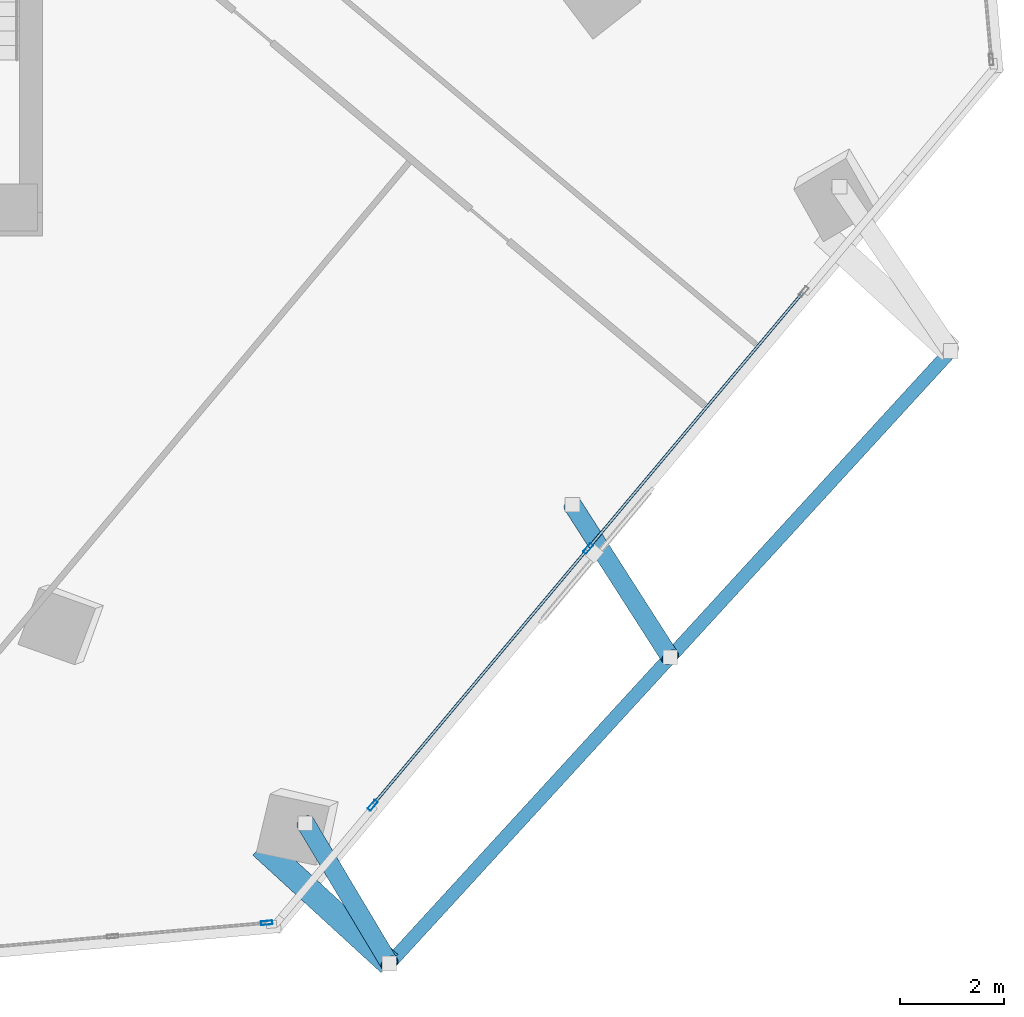
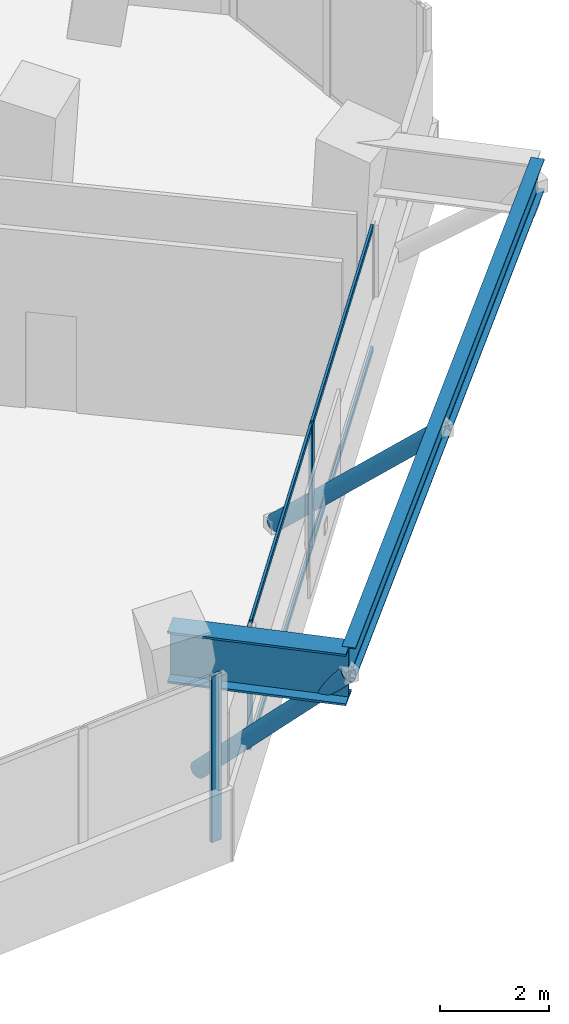
# One storey, part 6 of 18: 9 members, 2 beams, 2 elements without a shape of their own.
"""IFC4 building model written with IfcOpenShell, lengths in metres."""

from ifc_helpers import new_model, si_unit, direction, frame, origin, origin_2d, place, context, subcontext, project, spatial, hollow_rectangle, hollow_circle, i_section, extrude, source, transform, mapped, material, material_profile, profile_set, type_object, element, aggregate, save


model = new_model("IFC4")

# Units and contexts
model_context = context("Model", 3, precision=1e-05, world=origin(), true_north=direction((0.0, 1.0)))
body_context = subcontext(model_context, "Body", "Model", "MODEL_VIEW")
ifc_project = project(units=[si_unit("LENGTHUNIT", "METRE"), si_unit("AREAUNIT", "SQUARE_METRE"), si_unit("VOLUMEUNIT", "CUBIC_METRE"), si_unit("PLANEANGLEUNIT", "RADIAN"), si_unit("MASSUNIT", "GRAM", prefix="KILO")], contexts=[model_context])

# Site, building, storey
site_placement = place(None, origin())
site = spatial("IfcSite", under=ifc_project, at=site_placement, CompositionType="ELEMENT")
building_placement = place(site_placement, origin())
building = spatial("IfcBuilding", under=site, at=building_placement, Name="Torre Montelarca", CompositionType="ELEMENT")
storey_placement = place(building_placement, frame((0.0, 0.0, 224.800048828125)))
storey = spatial("IfcBuildingStorey", under=building, at=storey_placement, Name="L50", CompositionType="ELEMENT", Elevation=224.800048828125)

# Members
ifc_material_1 = material(Name="Steel ASTM A500 Grade C", Category="steel")
ifc_material_profile_1 = material_profile(ifc_material_1, hollow_circle(Radius=0.177734375, WallThickness=0.015869140625, at=origin_2d()), Name="HSS355.6X15.9", Category="steel")
ifc_profile_set_1 = profile_set([ifc_material_profile_1], Name="Steel ASTM A500 Grade C")
member_type_1 = type_object("IfcMemberType", Name="MB-BR-CHS356-EXT", PredefinedType="BRACE", material=ifc_profile_set_1)
shared_shape_1 = source(origin(), body_context, "Body", "SweptSolid", [
    extrude(hollow_circle(Radius=0.177734375, WallThickness=0.015869140625, at=origin_2d()), origin(), (0.0, 0.0, 1.0), 4.516845703125),
])
member_1_placement = place(storey_placement, frame((32.0615234375, 12.694580078125, 0.14990234375), z_axis=(0.358134118926, -0.598980124651, 0.71621418803), x_axis=(0.858284616398, 0.513173963928, 0.0)))
element("IfcMember", 1, at=member_1_placement, inside=storey, type_object=member_type_1, Name="L51 Sliding Tray Exterior Diagonal Raker Strut E1", PredefinedType="BRACE", context=body_context, shape_type="MappedRepresentation", body=[
    mapped(shared_shape_1, transform((0.0, 0.0, 0.0), scale=1.0)),
])
shared_shape_2 = source(origin(), body_context, "Body", "SweptSolid", [
    extrude(hollow_circle(Radius=0.177734375, WallThickness=0.015869140625, at=origin_2d()), origin(), (0.0, 0.0, 1.0), 4.756103515625),
])
member_2_placement = place(storey_placement, frame((37.203857421875, 18.822998046875, 0.14990234375), z_axis=(0.395315714635, -0.617279764769, 0.680214067606), x_axis=(0.842112385289, 0.539302077265, 0.0)))
element("IfcMember", 2, at=member_2_placement, inside=storey, type_object=member_type_1, Name="L51 Sliding Tray Exterior Diagonal Raker Strut E2", PredefinedType="BRACE", context=body_context, shape_type="MappedRepresentation", body=[
    mapped(shared_shape_2, transform((0.0, 0.0, 0.0), scale=1.0)),
])

# Beams
ifc_material_2 = material(Name="Steel ASTM A572 Grade 50", Category="steel")
ifc_material_profile_2 = material_profile(ifc_material_2, i_section(OverallWidth=0.47998046875, OverallDepth=1.14990234375, WebThickness=0.02197265625, FlangeThickness=0.044921875, at=origin_2d()), Name="PG1150X480X22X45", Category="steel")
ifc_profile_set_2 = profile_set([ifc_material_profile_2], Name="Steel ASTM A572 Grade 50")
beam_type_1 = type_object("IfcBeamType", Name="BM-CG-PG1400-EXT", PredefinedType="USERDEFINED", material=ifc_profile_set_2)
shared_shape_3 = source(origin(), body_context, "Body", "SweptSolid", [
    extrude(i_section(OverallWidth=0.47998046875, OverallDepth=1.14990234375, WebThickness=0.02197265625, FlangeThickness=0.044921875, at=origin_2d()), origin(), (0.0, 0.0, 1.0), 3.349853515625),
])
beam_1_placement = place(storey_placement, frame((31.20947265625, 12.252197265625, 3.385009765625), z_axis=(0.737263039421, -0.675605810146, 0.0), x_axis=(0.675605810146, 0.737263039421, 0.0)))
element("IfcBeam", 3, at=beam_1_placement, inside=storey, type_object=beam_type_1, Name="L50 Sliding Tray Cantilever Girder East Y=24m (FLR)", ObjectType="CANTILEVER GIRDER", PredefinedType="USERDEFINED", context=body_context, shape_type="MappedRepresentation", body=[
    mapped(shared_shape_3, transform((0.0, 0.0, 0.0), scale=1.0)),
])
ifc_material_3 = material(Name="Steel ASTM A992 Grade 50", Category="steel")
ifc_material_profile_3 = material_profile(ifc_material_3, i_section(OverallWidth=0.256103515625, OverallDepth=0.693115234375, WebThickness=0.014404296875, FlangeThickness=0.023681640625, FilletRadius=0.01806640625, at=origin_2d()), Name="W690X170", Category="steel")
ifc_profile_set_3 = profile_set([ifc_material_profile_3], Name="Steel ASTM A992 Grade 50")
beam_type_2 = type_object("IfcBeamType", Name="BM-G-W690-EXT", PredefinedType="BEAM", material=ifc_profile_set_3)
shared_shape_4 = source(origin(), body_context, "Body", "SweptSolid", [
    extrude(i_section(OverallWidth=0.256103515625, OverallDepth=0.693115234375, WebThickness=0.014404296875, FlangeThickness=0.023681640625, FilletRadius=0.01806640625, at=origin_2d()), origin(), (0.0, 0.0, 1.0), 16.0),
])
beam_2_placement = place(storey_placement, frame((33.67919921875, 9.989013671875, 3.614013671875), z_axis=(0.675596099327, 0.737271938008, 0.0), x_axis=(-0.737271938008, 0.675596099327, 0.0)))
element("IfcBeam", 4, at=beam_2_placement, inside=storey, type_object=beam_type_2, Name="L50 Sliding Tray Edge Girder East 24-40m (FLR)", PredefinedType="BEAM", context=body_context, shape_type="MappedRepresentation", body=[
    mapped(shared_shape_4, transform((0.0, 0.0, 0.0), scale=1.0)),
])

# Curtain wall, member
ifc_material_4 = material(Name="Insulated low-E laminated glass", Category="glass")
curtain_wall_type = type_object("IfcCurtainWallType", Name="CW-SYS-Z3", PredefinedType="USERDEFINED", material=ifc_material_4)
curtain_wall_1_placement = place(storey_placement, origin())
curtain_wall_1 = element("IfcCurtainWall", 5, at=curtain_wall_1_placement, inside=storey, type_object=curtain_wall_type, Name="L50 Curtain Wall Run CW-T3-L50-E05-B1", ObjectType="UNITISED GLAZING", PredefinedType="USERDEFINED")
ifc_material_5 = material(Name="Anodised aluminium AA 6063-T6", Category="aluminium")
ifc_material_profile_4 = material_profile(ifc_material_5, hollow_rectangle(XDim=0.074951171875, YDim=0.219970703125, WallThickness=0.0048828125, InnerFilletRadius=0.0048828125, OuterFilletRadius=0.010009765625, at=origin_2d()), Name="ALU75X220X5", Category="aluminium")
ifc_profile_set_4 = profile_set([ifc_material_profile_4], Name="Anodised aluminium AA 6063-T6")
member_type_2 = type_object("IfcMemberType", Name="CWM-ALU220", PredefinedType="MULLION", material=ifc_profile_set_4)
shared_shape_5 = source(origin(), body_context, "Body", "SweptSolid", [
    extrude(hollow_rectangle(XDim=0.074951171875, YDim=0.219970703125, WallThickness=0.0048828125, InnerFilletRadius=0.0048828125, OuterFilletRadius=0.010009765625, at=origin_2d()), origin(), (0.0, 0.0, 1.0), 3.719970703125),
])
member_3_placement = place(storey_placement, frame((31.31591796875, 10.772216796875, 0.0), z_axis=(0.0, 0.0, 1.0), x_axis=(-0.087181139731, 0.996192475817, 0.0)))
member_3 = element("IfcMember", 6, at=member_3_placement, type_object=member_type_2, Name="CW mullion 3", PredefinedType="MULLION", context=body_context, shape_type="MappedRepresentation", body=[
    mapped(shared_shape_5, transform((0.0, 0.0, 0.0), scale=1.0)),
])
aggregate(curtain_wall_1, [member_3])

# Curtain wall, members
curtain_wall_2_placement = place(storey_placement, origin())
curtain_wall_2 = element("IfcCurtainWall", 7, at=curtain_wall_2_placement, inside=storey, type_object=curtain_wall_type, Name="L50 Curtain Wall Run CW-T3-L50-E06-B1", ObjectType="UNITISED GLAZING", PredefinedType="USERDEFINED")
shared_shape_6 = source(origin(), body_context, "Body", "SweptSolid", [
    extrude(hollow_rectangle(XDim=0.074951171875, YDim=0.219970703125, WallThickness=0.0048828125, InnerFilletRadius=0.0048828125, OuterFilletRadius=0.010009765625, at=origin_2d()), origin(), (0.0, 0.0, 1.0), 2.77490234375),
])
member_4_placement = place(storey_placement, frame((33.353759765625, 13.036376953125, 0.0), z_axis=(0.0, 0.0, 1.0), x_axis=(-0.766041477678, 0.642791143744, 0.0)))
member_4 = element("IfcMember", 8, at=member_4_placement, type_object=member_type_2, Name="CW mullion 1", PredefinedType="MULLION", context=body_context, shape_type="MappedRepresentation", body=[
    mapped(shared_shape_6, transform((0.0, 0.0, 0.0), scale=1.0)),
])
member_5_placement = place(storey_placement, frame((37.50390625, 17.982421875, 0.0), z_axis=(0.0, 0.0, 1.0), x_axis=(-0.766041477678, 0.642791143744, 0.0)))
member_5 = element("IfcMember", 9, at=member_5_placement, type_object=member_type_2, Name="CW mullion 2", PredefinedType="MULLION", context=body_context, shape_type="MappedRepresentation", body=[
    mapped(shared_shape_6, transform((0.0, 0.0, 0.0), scale=1.0)),
])
ifc_material_profile_5 = material_profile(ifc_material_5, hollow_rectangle(XDim=0.054931640625, YDim=0.1201171875, WallThickness=0.00341796875, InnerFilletRadius=0.00341796875, OuterFilletRadius=0.007080078125, at=origin_2d()), Name="ALU55X120X3.5", Category="aluminium")
ifc_profile_set_5 = profile_set([ifc_material_profile_5], Name="Anodised aluminium AA 6063-T6")
member_type_3 = type_object("IfcMemberType", Name="CWT-ALU120", PredefinedType="USERDEFINED", material=ifc_profile_set_5)
shared_shape_7 = source(origin(), body_context, "Body", "SweptSolid", [
    extrude(hollow_rectangle(XDim=0.054931640625, YDim=0.1201171875, WallThickness=0.00341796875, InnerFilletRadius=0.00341796875, OuterFilletRadius=0.007080078125, at=origin_2d()), origin(), (0.0, 0.0, 1.0), 6.38134765625),
])
member_6_placement = place(storey_placement, frame((33.3779296875, 13.065185546875, 0.02734375), z_axis=(0.642781055875, 0.766049942372, 0.0), x_axis=(-0.766049942372, 0.642781055875, 0.0)))
member_6 = element("IfcMember", 10, at=member_6_placement, type_object=member_type_3, Name="CW transom 1.1", ObjectType="TRANSOM", PredefinedType="USERDEFINED", context=body_context, shape_type="MappedRepresentation", body=[
    mapped(shared_shape_7, transform((0.0, 0.0, 0.0), scale=1.0)),
])
member_7_placement = place(storey_placement, frame((33.3779296875, 13.065185546875, 2.74755859375), z_axis=(0.642781055875, 0.766049942372, 0.0), x_axis=(-0.766049942372, 0.642781055875, 0.0)))
member_7 = element("IfcMember", 11, at=member_7_placement, type_object=member_type_3, Name="CW transom 1.2", ObjectType="TRANSOM", PredefinedType="USERDEFINED", context=body_context, shape_type="MappedRepresentation", body=[
    mapped(shared_shape_7, transform((0.0, 0.0, 0.0), scale=1.0)),
])
shared_shape_8 = source(origin(), body_context, "Body", "SweptSolid", [
    extrude(hollow_rectangle(XDim=0.054931640625, YDim=0.1201171875, WallThickness=0.00341796875, InnerFilletRadius=0.00341796875, OuterFilletRadius=0.007080078125, at=origin_2d()), origin(), (0.0, 0.0, 1.0), 6.381591796875),
])
member_8_placement = place(storey_placement, frame((37.528076171875, 18.01123046875, 0.02734375), z_axis=(0.642803506379, 0.766031103929, 0.0), x_axis=(-0.766031103929, 0.642803506379, 0.0)))
member_8 = element("IfcMember", 12, at=member_8_placement, type_object=member_type_3, Name="CW transom 2.1", ObjectType="TRANSOM", PredefinedType="USERDEFINED", context=body_context, shape_type="MappedRepresentation", body=[
    mapped(shared_shape_8, transform((0.0, 0.0, 0.0), scale=1.0)),
])
member_9_placement = place(storey_placement, frame((37.528076171875, 18.01123046875, 2.74755859375), z_axis=(0.642803506379, 0.766031103929, 0.0), x_axis=(-0.766031103929, 0.642803506379, 0.0)))
member_9 = element("IfcMember", 13, at=member_9_placement, type_object=member_type_3, Name="CW transom 2.2", ObjectType="TRANSOM", PredefinedType="USERDEFINED", context=body_context, shape_type="MappedRepresentation", body=[
    mapped(shared_shape_8, transform((0.0, 0.0, 0.0), scale=1.0)),
])
aggregate(curtain_wall_2, [member_4, member_5, member_6, member_7, member_8, member_9])

save(model, "model.ifc")
